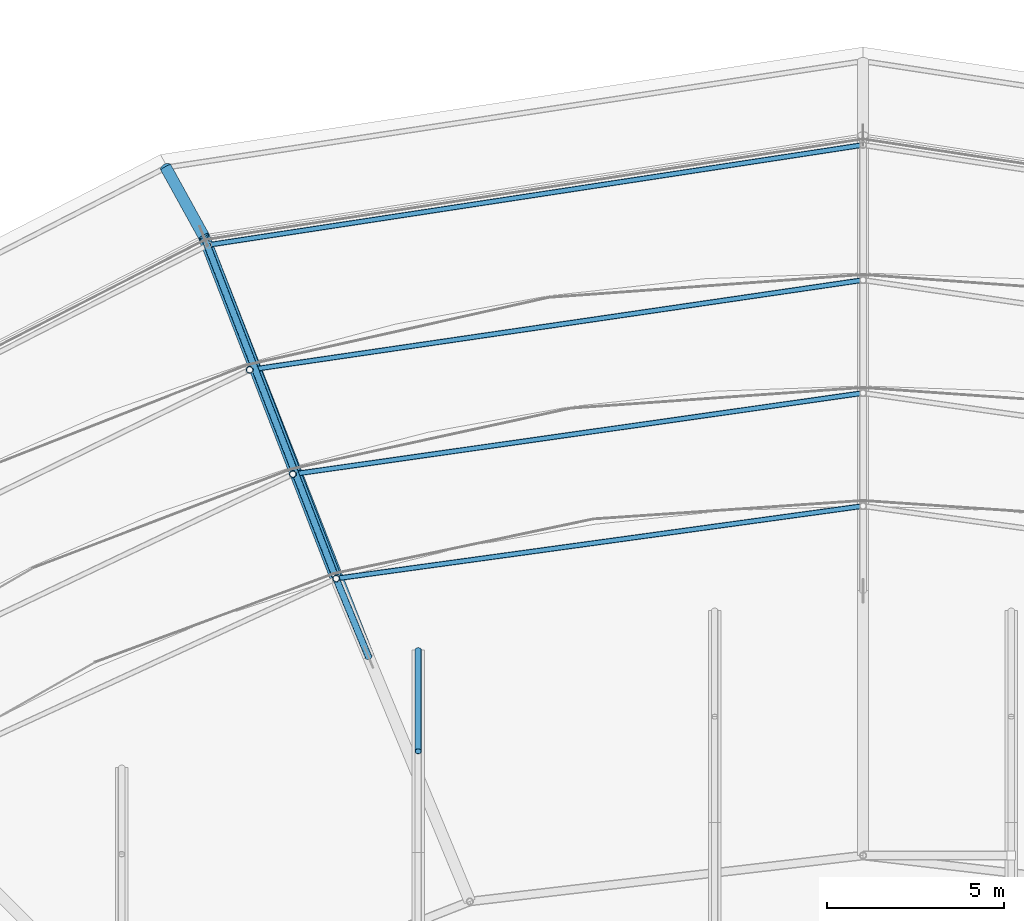
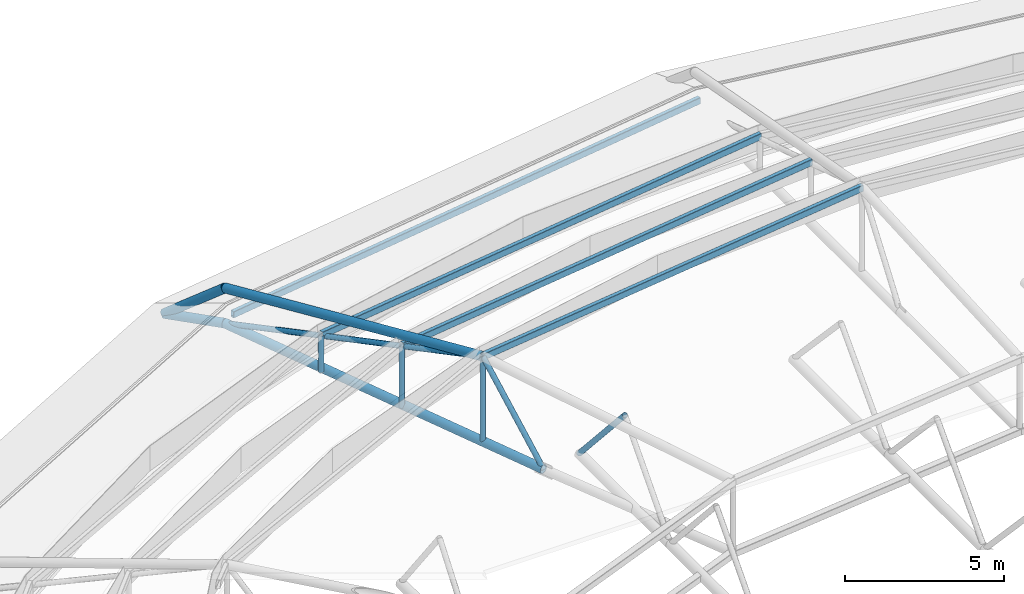
# One storey, part 43 of 134: 10 members, 4 beams.
"""IFC4 building model written with IfcOpenShell, lengths in metres."""

from ifc_helpers import new_model, si_unit, derived_unit, direction, frame, origin, origin_2d, place, context, subcontext, project, spatial, hollow_rectangle, hollow_circle, extrude, material, material_profile, profile_set, type_object, element, save


model = new_model("IFC4")

# Units and contexts
model_context = context("Model", 3, precision=1e-05, world=origin(), true_north=direction((0.0, 1.0)))
body_context = subcontext(model_context, "Body", "Model", "MODEL_VIEW")
ifc_project = project(units=[si_unit("LENGTHUNIT", "METRE"), si_unit("AREAUNIT", "SQUARE_METRE"), si_unit("VOLUMEUNIT", "CUBIC_METRE"), si_unit("PLANEANGLEUNIT", "RADIAN"), si_unit("MASSUNIT", "GRAM", prefix="KILO"), derived_unit("THERMALTRANSMITTANCEUNIT", [(si_unit("MASSUNIT", "GRAM", prefix="KILO"), 1), (si_unit("TIMEUNIT", "SECOND"), -3), (si_unit("THERMODYNAMICTEMPERATUREUNIT", "KELVIN"), -1)])], contexts=[model_context])

# Site, building, storey
site_placement = place(None, origin())
site = spatial("IfcSite", under=ifc_project, at=site_placement, CompositionType="ELEMENT")
building_placement = place(site_placement, origin())
building = spatial("IfcBuilding", under=site, at=building_placement, Name="Kharveza Railside Sports Centre", CompositionType="ELEMENT")
storey_placement = place(building_placement, frame((0.0, 0.0, 12.89990234375)))
storey = spatial("IfcBuildingStorey", under=building, at=storey_placement, Name="L03", CompositionType="ELEMENT", Elevation=12.89990234375)

# Beams
ifc_material = material(Name="Steel S355J2", Category="steel")
ifc_material_profile_1 = material_profile(ifc_material, hollow_rectangle(XDim=0.14990234375, YDim=0.25, WallThickness=0.010009765625, InnerFilletRadius=0.010009765625, OuterFilletRadius=0.02001953125, at=origin_2d()), Name="RHS 150x250x10.0")
ifc_profile_set_1 = profile_set([ifc_material_profile_1], Name="Steel S355J2")
beam_type = type_object("IfcBeamType", Name="BM-SP04", PredefinedType="SPANDREL", material=ifc_profile_set_1)
beam_1_placement = place(storey_placement, frame((54.60009765625, 87.626953125, 0.405029296875), z_axis=(-0.988530745974, -0.151019747927, 0.0), x_axis=(0.151019747927, -0.988530745974, 0.0)))
element("IfcBeam", 1, at=beam_1_placement, inside=storey, type_object=beam_type, Name="BM-LIDRING-S1-05", PredefinedType="SPANDREL", context=body_context, shape_type="SweptSolid", body=[
    extrude(hollow_rectangle(XDim=0.14990234375, YDim=0.25, WallThickness=0.010009765625, InnerFilletRadius=0.010009765625, OuterFilletRadius=0.02001953125, at=origin_2d()), origin(), (0.0, 0.0, 1.0), 18.763916015625),
])
beam_2_placement = place(storey_placement, frame((54.60009765625, 83.800048828125, 1.35498046875), z_axis=(-0.989461549998, -0.144795860009, 0.0), x_axis=(0.144795860009, -0.989461549998, 0.0)))
element("IfcBeam", 2, at=beam_2_placement, inside=storey, type_object=beam_type, Name="BM-LIDRING-S2-05", PredefinedType="SPANDREL", context=body_context, shape_type="SweptSolid", body=[
    extrude(hollow_rectangle(XDim=0.14990234375, YDim=0.25, WallThickness=0.010009765625, InnerFilletRadius=0.010009765625, OuterFilletRadius=0.02001953125, at=origin_2d()), origin(), (0.0, 0.0, 1.0), 17.55908203125),
])
beam_3_placement = place(storey_placement, frame((54.60009765625, 80.60009765625, 2.30517578125), z_axis=(-0.990020013174, -0.140926837456, 0.0), x_axis=(0.140926837456, -0.990020013174, 0.0)))
element("IfcBeam", 3, at=beam_3_placement, inside=storey, type_object=beam_type, Name="BM-LIDRING-S3-05", PredefinedType="SPANDREL", context=body_context, shape_type="SweptSolid", body=[
    extrude(hollow_rectangle(XDim=0.14990234375, YDim=0.25, WallThickness=0.010009765625, InnerFilletRadius=0.010009765625, OuterFilletRadius=0.02001953125, at=origin_2d()), origin(), (0.0, 0.0, 1.0), 16.312255859375),
])
beam_4_placement = place(storey_placement, frame((54.60009765625, 77.39990234375, 3.255126953125), z_axis=(-0.990651812657, -0.136414757557, 0.0), x_axis=(0.136414757557, -0.990651812657, 0.0)))
element("IfcBeam", 4, at=beam_4_placement, inside=storey, type_object=beam_type, Name="BM-LIDRING-S4-05", PredefinedType="SPANDREL", context=body_context, shape_type="SweptSolid", body=[
    extrude(hollow_rectangle(XDim=0.14990234375, YDim=0.25, WallThickness=0.010009765625, InnerFilletRadius=0.010009765625, OuterFilletRadius=0.02001953125, at=origin_2d()), origin(), (0.0, 0.0, 1.0), 15.065673828125),
])

# Members
ifc_material_profile_2 = material_profile(ifc_material, hollow_circle(Radius=0.161865234375, WallThickness=0.01611328125, at=origin_2d()), Name="CHS 323.9x16.0")
ifc_profile_set_2 = profile_set([ifc_material_profile_2], Name="Steel S355J2")
member_type_1 = type_object("IfcMemberType", Name="MB-CH02", PredefinedType="CHORD", material=ifc_profile_set_2)
member_1_placement = place(storey_placement, frame((40.59375, 73.12744140625, -0.0498046875), z_axis=(-0.364748123264, 0.931106227331, 0.0), x_axis=(-0.931106227331, -0.364748123264, 0.0)))
element("IfcMember", 5, at=member_1_placement, inside=storey, type_object=member_type_1, Name="MB-OUT-BC2-06", PredefinedType="CHORD", context=body_context, shape_type="SweptSolid", body=[
    extrude(hollow_circle(Radius=0.161865234375, WallThickness=0.01611328125, at=origin_2d()), origin(), (0.0, 0.0, 1.0), 12.7998046875),
])
member_2_placement = place(storey_placement, frame((35.925048828125, 85.04541015625, -0.0498046875), z_axis=(-0.474596675041, 0.859334649477, -0.190530722584), x_axis=(-0.87537035481, -0.483452936613, 0.0)))
element("IfcMember", 6, at=member_2_placement, inside=storey, type_object=member_type_1, Name="MB-OUT-BC3-06", PredefinedType="CHORD", context=body_context, shape_type="SweptSolid", body=[
    extrude(hollow_circle(Radius=0.161865234375, WallThickness=0.01611328125, at=origin_2d()), origin(), (0.0, 0.0, 1.0), 2.2578125),
])
member_3_placement = place(storey_placement, frame((39.67529296875, 75.3447265625, 3.25), z_axis=(-0.354412385385, 0.916751625603, -0.184277828401), x_axis=(-0.932725297758, -0.360587740949, 0.0)))
element("IfcMember", 7, at=member_3_placement, inside=storey, type_object=member_type_1, Name="MB-OUT-TC2-06", PredefinedType="CHORD", context=body_context, shape_type="SweptSolid", body=[
    extrude(hollow_circle(Radius=0.161865234375, WallThickness=0.01611328125, at=origin_2d()), origin(), (0.0, 0.0, 1.0), 10.58154296875),
])
member_4_placement = place(storey_placement, frame((35.925048828125, 85.04541015625, 1.300048828125), z_axis=(-0.37694056195, 0.68251233671, -0.626173077508), x_axis=(-0.87537035481, -0.483452936613, 0.0)))
element("IfcMember", 8, at=member_4_placement, inside=storey, type_object=member_type_1, Name="MB-OUT-TC3-06", PredefinedType="CHORD", context=body_context, shape_type="SweptSolid", body=[
    extrude(hollow_circle(Radius=0.161865234375, WallThickness=0.01611328125, at=origin_2d()), origin(), (0.0, 0.0, 1.0), 2.8427734375),
])
ifc_material_profile_3 = material_profile(ifc_material, hollow_circle(Radius=0.096923828125, WallThickness=0.010009765625, at=origin_2d()), Name="CHS 193.7x10.0")
ifc_profile_set_3 = profile_set([ifc_material_profile_3], Name="Steel S355J2")
member_type_2 = type_object("IfcMemberType", Name="MB-ST02", PredefinedType="STRUT", material=ifc_profile_set_3)
member_5_placement = place(storey_placement, frame((37.22607421875, 81.257568359375, -0.0498046875), z_axis=(0.0, 0.0, 1.0), x_axis=(1.0, 0.0, 0.0)))
element("IfcMember", 9, at=member_5_placement, inside=storey, type_object=member_type_2, Name="MB-LIDPOST-S2-06", PredefinedType="STRUT", context=body_context, shape_type="SweptSolid", body=[
    extrude(hollow_circle(Radius=0.096923828125, WallThickness=0.010009765625, at=origin_2d()), origin(), (0.0, 0.0, 1.0), 1.40478515625),
])
member_6_placement = place(storey_placement, frame((38.45068359375, 78.30126953125, -0.0498046875), z_axis=(0.0, 0.0, 1.0), x_axis=(1.0, 0.0, 0.0)))
element("IfcMember", 10, at=member_6_placement, inside=storey, type_object=member_type_2, Name="MB-LIDPOST-S3-06", PredefinedType="STRUT", context=body_context, shape_type="SweptSolid", body=[
    extrude(hollow_circle(Radius=0.096923828125, WallThickness=0.010009765625, at=origin_2d()), origin(), (0.0, 0.0, 1.0), 2.35498046875),
])
member_7_placement = place(storey_placement, frame((39.67529296875, 75.3447265625, -0.0498046875), z_axis=(0.0, 0.0, 1.0), x_axis=(1.0, 0.0, 0.0)))
element("IfcMember", 11, at=member_7_placement, inside=storey, type_object=member_type_2, Name="MB-LIDPOST-S4-06", PredefinedType="STRUT", context=body_context, shape_type="SweptSolid", body=[
    extrude(hollow_circle(Radius=0.096923828125, WallThickness=0.010009765625, at=origin_2d()), origin(), (0.0, 0.0, 1.0), 3.304931640625),
])
member_8_placement = place(storey_placement, frame((40.59375, 73.12744140625, -0.0498046875), z_axis=(-0.225096955805, 0.543415883206, 0.80872154563), x_axis=(-0.923875488976, -0.382693194178, 0.0)))
element("IfcMember", 12, at=member_8_placement, inside=storey, type_object=member_type_2, Name="MB-OUT-WEB-06-2", PredefinedType="STRUT", context=body_context, shape_type="SweptSolid", body=[
    extrude(hollow_circle(Radius=0.096923828125, WallThickness=0.010009765625, at=origin_2d()), origin(), (0.0, 0.0, 1.0), 4.080322265625),
])
member_9_placement = place(storey_placement, frame((39.67529296875, 75.3447265625, 3.25), z_axis=(-0.343703015624, 0.889049907089, -0.302421063679), x_axis=(-0.932725297758, -0.360587740949, 0.0)))
element("IfcMember", 13, at=member_9_placement, inside=storey, type_object=member_type_2, Name="MB-OUT-WEB-06-3", PredefinedType="STRUT", context=body_context, shape_type="SweptSolid", body=[
    extrude(hollow_circle(Radius=0.096923828125, WallThickness=0.010009765625, at=origin_2d()), origin(), (0.0, 0.0, 1.0), 10.911376953125),
])
member_10_placement = place(storey_placement, frame((42.0, 70.450927734375, 3.150146484375), z_axis=(0.0, 0.666974298635, -0.745080723788), x_axis=(-1.0, 0.0, 0.0)))
element("IfcMember", 14, at=member_10_placement, inside=storey, type_object=member_type_2, Name="MB-V1TR-D2-2-8", PredefinedType="STRUT", context=body_context, shape_type="SweptSolid", body=[
    extrude(hollow_circle(Radius=0.096923828125, WallThickness=0.010009765625, at=origin_2d()), origin(), (0.0, 0.0, 1.0), 4.294677734375),
])

save(model, "model.ifc")
